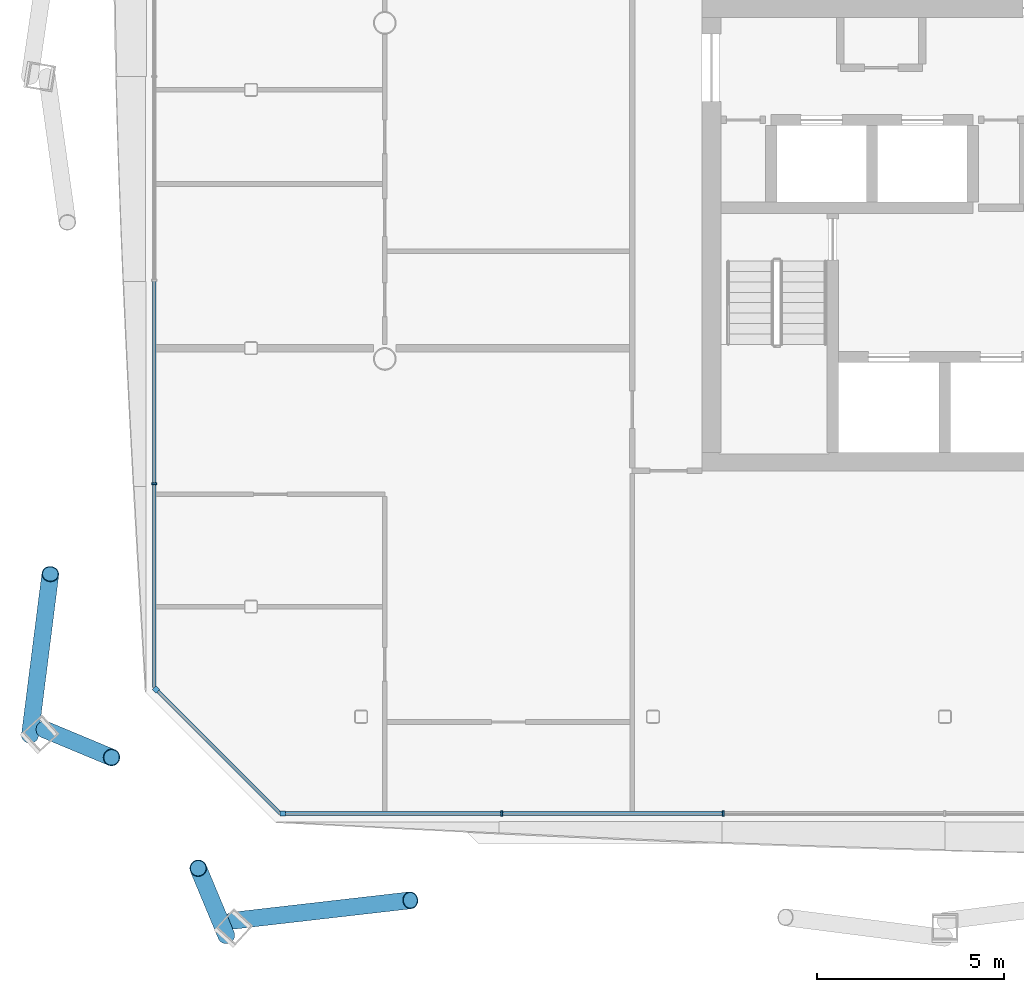
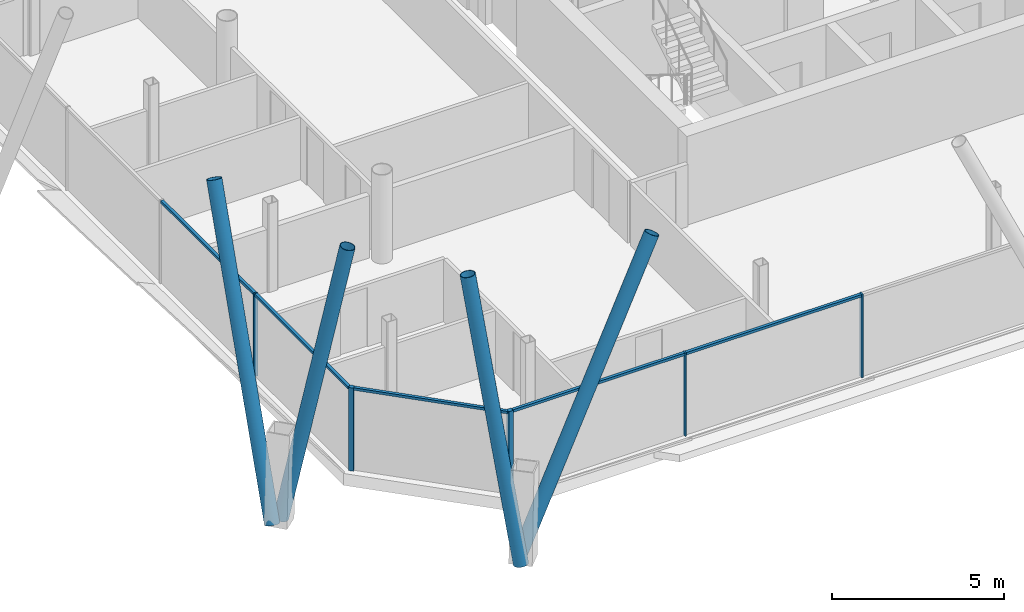
# One storey, part 4 of 21: 14 members, 3 elements without a shape of their own.
"""IFC4 building model written with IfcOpenShell, lengths in metres."""

from ifc_helpers import new_model, si_unit, direction, frame, origin, origin_2d, place, context, subcontext, project, spatial, rectangle, hollow_circle, extrude, material, material_profile, profile_set, type_object, element, aggregate, save


model = new_model("IFC4")

# Units and contexts
model_context = context("Model", 3, precision=1e-05, world=origin(), true_north=direction((0.0, 1.0)))
body_context = subcontext(model_context, "Body", "Model", "MODEL_VIEW")
ifc_project = project(units=[si_unit("LENGTHUNIT", "METRE"), si_unit("AREAUNIT", "SQUARE_METRE"), si_unit("VOLUMEUNIT", "CUBIC_METRE"), si_unit("PLANEANGLEUNIT", "RADIAN"), si_unit("MASSUNIT", "GRAM", prefix="KILO")], contexts=[model_context])

# Site, building, storey
site_placement = place(None, origin())
site = spatial("IfcSite", under=ifc_project, at=site_placement, CompositionType="ELEMENT")
building_placement = place(site_placement, origin())
building = spatial("IfcBuilding", under=site, at=building_placement, Name="Tskaro Facet Tower", CompositionType="ELEMENT")
storey_placement = place(building_placement, frame((0.0, 0.0, 172.199951171875)))
storey = spatial("IfcBuildingStorey", under=building, at=storey_placement, Name="L42", CompositionType="ELEMENT", Elevation=172.199951171875)

# Members
ifc_material_1 = material(Name="Steel S355J2H", Category="steel")
ifc_material_profile_1 = material_profile(ifc_material_1, hollow_circle(Radius=0.228515625, WallThickness=0.02001953125, at=origin_2d()), Name="CHS 457x20")
ifc_profile_set_1 = profile_set([ifc_material_profile_1], Name="Steel S355J2H")
member_type_1 = type_object("IfcMemberType", Name="CHS 457x20 brace", PredefinedType="BRACE", material=ifc_profile_set_1)
member_1_placement = place(storey_placement, frame((-22.0849609375, -24.047607421875, 0.0), z_axis=(0.450104080643, 0.051682625849, 0.891479232946), x_axis=(-0.114074179763, 0.993472234897, 0.0)))
element("IfcMember", 1, at=member_1_placement, inside=storey, type_object=member_type_1, Name="CHS 457x20 XB01A/4", PredefinedType="BRACE", context=body_context, shape_type="SweptSolid", body=[
    extrude(hollow_circle(Radius=0.228515625, WallThickness=0.02001953125, at=origin_2d()), origin(), (0.0, 0.0, 1.0), 10.600341796875),
])
member_2_placement = place(storey_placement, frame((-27.50439453125, -19.0849609375, 0.0), z_axis=(0.052623002474, 0.415423764961, 0.908104572787), x_axis=(-0.992072247398, 0.125668834411, 0.0)))
element("IfcMember", 2, at=member_2_placement, inside=storey, type_object=member_type_1, Name="CHS 457x20 XB11B/4", PredefinedType="BRACE", context=body_context, shape_type="SweptSolid", body=[
    extrude(hollow_circle(Radius=0.228515625, WallThickness=0.02001953125, at=origin_2d()), origin(), (0.0, 0.0, 1.0), 10.40625),
])
for number, where, z_axis, x_axis, name in (
    (3, (-27.114501953125, -18.92333984375, 0.0), (0.186356452478, -0.077730756553, 0.979402471972), (0.384962378812, 0.922932265608, 0.0), "CHS 457x20 XB12A/4"),
    (4, (-22.24658203125, -24.4375, 0.0), (-0.07773112306, 0.186332028065, 0.97940708994), (-0.922913691455, -0.385006906593, 0.0), "CHS 457x20 XB12B/4"),
):
    element("IfcMember", number, at=place(storey_placement, frame(where, z_axis=z_axis, x_axis=x_axis)), inside=storey, type_object=member_type_1, Name=name, PredefinedType="BRACE", context=body_context, shape_type="SweptSolid", body=[
        extrude(hollow_circle(Radius=0.228515625, WallThickness=0.02001953125, at=origin_2d()), origin(), (0.0, 0.0, 1.0), 9.648681640625),
    ])

# Curtain wall, member
ifc_material_2 = material(Name="Bronze anodised aluminium 6063-T6", Category="aluminium")
curtain_wall_type = type_object("IfcCurtainWallType", Name="Bronze residence curtain wall (FW3)", PredefinedType="NOTDEFINED", material=ifc_material_2)
curtain_wall_1_placement = place(storey_placement, origin())
curtain_wall_1 = element("IfcCurtainWall", 5, at=curtain_wall_1_placement, inside=storey, type_object=curtain_wall_type, Name="FW3 south facet L42", PredefinedType="NOTDEFINED")
ifc_material_profile_2 = material_profile(ifc_material_2, rectangle(XDim=0.139892578125, YDim=0.139892578125, at=origin_2d()), Name="Corner post 140x140")
ifc_profile_set_2 = profile_set([ifc_material_profile_2], Name="Bronze anodised aluminium 6063-T6")
member_type_2 = type_object("IfcMemberType", Name="FW3 bronze corner post 140x140", PredefinedType="MULLION", material=ifc_profile_set_2)
member_3_placement = place(storey_placement, frame((-20.72998046875, -21.176025390625, 0.0), z_axis=(0.0, 0.0, 1.0), x_axis=(1.0, 0.0, 0.0)))
member_3 = element("IfcMember", 6, at=member_3_placement, type_object=member_type_2, Name="FW3 south corner post", PredefinedType="MULLION", context=body_context, shape_type="SweptSolid", body=[
    extrude(rectangle(XDim=0.139892578125, YDim=0.139892578125, at=origin_2d()), origin(), (0.0, 0.0, 1.0), 2.949951171875),
])

curtain_wall_2_placement = place(storey_placement, origin())
curtain_wall_2 = element("IfcCurtainWall", 7, at=curtain_wall_2_placement, inside=storey, type_object=curtain_wall_type, Name="FW3 south-west facet L42", PredefinedType="NOTDEFINED")
member_4_placement = place(storey_placement, frame((-24.12646484375, -17.849609375, 0.0), z_axis=(0.0, 0.0, 1.0), x_axis=(0.707106781187, -0.707106781187, 0.0)))
member_4 = element("IfcMember", 8, at=member_4_placement, type_object=member_type_2, Name="FW3 south-west corner post", PredefinedType="MULLION", context=body_context, shape_type="SweptSolid", body=[
    extrude(rectangle(XDim=0.139892578125, YDim=0.139892578125, at=origin_2d()), origin(), (0.0, 0.0, 1.0), 2.949951171875),
])

# Member
ifc_material_profile_3 = material_profile(ifc_material_2, rectangle(XDim=0.050048828125, YDim=0.139892578125, at=origin_2d()), Name="Mullion 50x140")
ifc_profile_set_3 = profile_set([ifc_material_profile_3], Name="Bronze anodised aluminium 6063-T6")
member_type_3 = type_object("IfcMemberType", Name="FW3 bronze mullion 50x140", PredefinedType="MULLION", material=ifc_profile_set_3)
member_5_placement = place(storey_placement, frame((-14.86669921875, -21.176025390625, 0.0), z_axis=(0.0, 0.0, 1.0), x_axis=(1.0, 0.0, 0.0)))
member_5 = element("IfcMember", 9, at=member_5_placement, type_object=member_type_3, Name="FW3 south mullion 1", PredefinedType="MULLION", context=body_context, shape_type="SweptSolid", body=[
    extrude(rectangle(XDim=0.050048828125, YDim=0.139892578125, at=origin_2d()), origin(), (0.0, 0.0, 1.0), 2.949951171875),
])

member_6_placement = place(storey_placement, frame((-8.933349609375, -21.176025390625, 0.0), z_axis=(0.0, 0.0, 1.0), x_axis=(1.0, 0.0, 0.0)))
member_6 = element("IfcMember", 10, at=member_6_placement, type_object=member_type_3, Name="FW3 south mullion 2", PredefinedType="MULLION", context=body_context, shape_type="SweptSolid", body=[
    extrude(rectangle(XDim=0.050048828125, YDim=0.139892578125, at=origin_2d()), origin(), (0.0, 0.0, 1.0), 2.949951171875),
])

# Curtain wall, member
curtain_wall_3_placement = place(storey_placement, origin())
curtain_wall_3 = element("IfcCurtainWall", 11, at=curtain_wall_3_placement, inside=storey, type_object=curtain_wall_type, Name="FW3 west facet L42", PredefinedType="NOTDEFINED")
member_7_placement = place(storey_placement, frame((-24.176025390625, -12.3447265625, 0.0), z_axis=(0.0, 0.0, 1.0), x_axis=(0.0, -1.0, 0.0)))
member_7 = element("IfcMember", 12, at=member_7_placement, type_object=member_type_3, Name="FW3 west mullion 5", PredefinedType="MULLION", context=body_context, shape_type="SweptSolid", body=[
    extrude(rectangle(XDim=0.050048828125, YDim=0.139892578125, at=origin_2d()), origin(), (0.0, 0.0, 1.0), 2.949951171875),
])

# Member
ifc_material_profile_4 = material_profile(ifc_material_2, rectangle(XDim=0.10009765625, YDim=0.090087890625, at=origin_2d()), Name="Transom 100x90")
ifc_profile_set_4 = profile_set([ifc_material_profile_4], Name="Bronze anodised aluminium 6063-T6")
member_type_4 = type_object("IfcMemberType", Name="FW3 bronze transom 100x90", PredefinedType="USERDEFINED", material=ifc_profile_set_4)
member_8_placement = place(storey_placement, frame((-20.659912109375, -21.176025390625, 2.905029296875), z_axis=(1.0, 0.0, 0.0), x_axis=(0.0, 1.0, 0.0)))
member_8 = element("IfcMember", 13, at=member_8_placement, type_object=member_type_4, Name="FW3 south transom 1.1", ObjectType="TRANSOM", PredefinedType="USERDEFINED", context=body_context, shape_type="SweptSolid", body=[
    extrude(rectangle(XDim=0.10009765625, YDim=0.090087890625, at=origin_2d()), origin(), (0.0, 0.0, 1.0), 5.768310546875),
])

member_9_placement = place(storey_placement, frame((-14.841552734375, -21.176025390625, 2.905029296875), z_axis=(1.0, 0.0, 0.0), x_axis=(0.0, 1.0, 0.0)))
member_9 = element("IfcMember", 14, at=member_9_placement, type_object=member_type_4, Name="FW3 south transom 2.1", ObjectType="TRANSOM", PredefinedType="USERDEFINED", context=body_context, shape_type="SweptSolid", body=[
    extrude(rectangle(XDim=0.10009765625, YDim=0.090087890625, at=origin_2d()), origin(), (0.0, 0.0, 1.0), 5.88330078125),
])

aggregate(curtain_wall_1, [member_3, member_5, member_6, member_8, member_9])

member_10_placement = place(storey_placement, frame((-24.176025390625, -6.91455078125, 2.905029296875), z_axis=(0.0, -1.0, 0.0), x_axis=(1.0, 0.0, 0.0)))
member_10 = element("IfcMember", 15, at=member_10_placement, type_object=member_type_4, Name="FW3 west transom 5.1", ObjectType="TRANSOM", PredefinedType="USERDEFINED", context=body_context, shape_type="SweptSolid", body=[
    extrude(rectangle(XDim=0.10009765625, YDim=0.090087890625, at=origin_2d()), origin(), (0.0, 0.0, 1.0), 5.4052734375),
])

member_11_placement = place(storey_placement, frame((-24.176025390625, -12.369873046875, 2.905029296875), z_axis=(0.0, -1.0, 0.0), x_axis=(1.0, 0.0, 0.0)))
member_11 = element("IfcMember", 16, at=member_11_placement, type_object=member_type_4, Name="FW3 west transom 6.1", ObjectType="TRANSOM", PredefinedType="USERDEFINED", context=body_context, shape_type="SweptSolid", body=[
    extrude(rectangle(XDim=0.10009765625, YDim=0.090087890625, at=origin_2d()), origin(), (0.0, 0.0, 1.0), 5.43017578125),
])

aggregate(curtain_wall_3, [member_7, member_10, member_11])

member_12_placement = place(storey_placement, frame((-24.076904296875, -17.89892578125, 2.905029296875), z_axis=(0.707080440343, -0.707133121049, 0.0), x_axis=(0.707133121049, 0.707080440343, 0.0)))
member_12 = element("IfcMember", 17, at=member_12_placement, type_object=member_type_4, Name="FW3 south-west transom 1.1", ObjectType="TRANSOM", PredefinedType="USERDEFINED", context=body_context, shape_type="SweptSolid", body=[
    extrude(rectangle(XDim=0.10009765625, YDim=0.090087890625, at=origin_2d()), origin(), (0.0, 0.0, 1.0), 4.63427734375),
])

aggregate(curtain_wall_2, [member_4, member_12])

save(model, "model.ifc")
